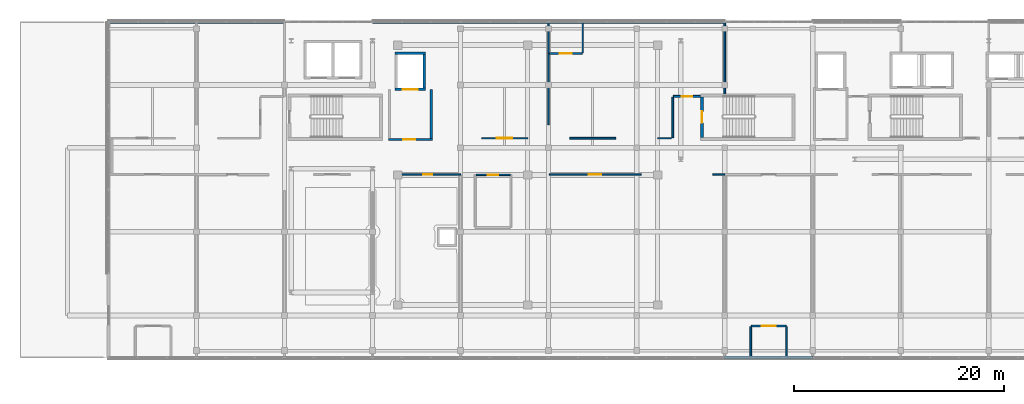
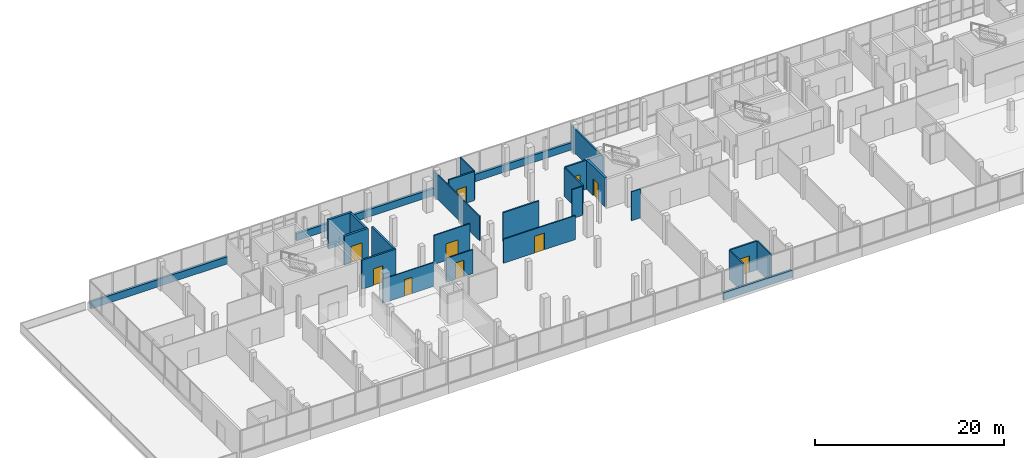
# One storey, part 57 of 67: 29 walls, 10 doors, 10 openings.
"""IFC4 building model written with IfcOpenShell, lengths in metres."""

from ifc_helpers import new_model, si_unit, direction, frame, frame_2d, origin, place, context, subcontext, project, spatial, rectangle, extrude, material, layer, layer_set, type_object, element, fill, save


model = new_model("IFC4")

# Units and contexts
model_context = context("Model", 3, precision=1e-05, world=origin(), true_north=direction((0.0, 1.0)))
body_context = subcontext(model_context, "Body", "Model", "MODEL_VIEW")
ifc_project = project(units=[si_unit("LENGTHUNIT", "METRE"), si_unit("AREAUNIT", "SQUARE_METRE"), si_unit("VOLUMEUNIT", "CUBIC_METRE"), si_unit("PLANEANGLEUNIT", "RADIAN"), si_unit("MASSUNIT", "GRAM", prefix="KILO")], contexts=[model_context])

# Site, building, storey
site_placement = place(None, origin())
site = spatial("IfcSite", under=ifc_project, at=site_placement, CompositionType="ELEMENT")
building_placement = place(site_placement, origin())
building = spatial("IfcBuilding", under=site, at=building_placement, Name="Selatvlak General Hospital", CompositionType="ELEMENT")
storey_placement = place(building_placement, frame((0.0, 0.0, 35.39990234375)))
storey = spatial("IfcBuildingStorey", under=building, at=storey_placement, Name="L08", CompositionType="ELEMENT", Elevation=35.39990234375)

# Walls
ifc_material_1 = material(Name="Precast concrete C40/50 - white Bauhaus spandrel", Category="concrete")
ifc_layer_1 = layer(ifc_material_1, 0.280029296875, Name="Precast concrete C40/50 - white Bauhaus spandrel", Category="concrete")
ifc_layer_set_1 = layer_set([ifc_layer_1], Name="Precast concrete C40/50 - white Bauhaus spandrel")
wall_type_1 = type_object("IfcWallType", Name="WALL-EW-02", PredefinedType="SOLIDWALL", material=ifc_layer_set_1)
wall_1_placement = place(storey_placement, frame((31.340087890625, 119.9990234375, 0.0), z_axis=(0.0, 0.0, 1.0), x_axis=(1.0, 0.0, 0.0)))
element("IfcWall", 1, at=wall_1_placement, inside=storey, type_object=wall_type_1, Name="L08 Bauhaus spandrel sill wall 0607", PredefinedType="SOLIDWALL", context=body_context, shape_type="SweptSolid", body=[
    extrude(rectangle(XDim=8.2578125, YDim=0.280029296875, at=frame_2d((4.12890625, 0.0))), origin(), (0.0, 0.0, 1.0), 0.940185546875),
])
for number, where, z_axis, x_axis, name in (
    (2, (39.60205078125, 119.9990234375, 0.0), (0.0, 0.0, 1.0), (1.0, 0.0, 0.0), "L08 Bauhaus spandrel sill wall 0608"),
    (3, (56.402099609375, 119.9990234375, 0.0), (0.0, 0.0, 1.0), (1.0, 0.0, 0.0), "L08 Bauhaus spandrel sill wall 0609"),
    (4, (64.802001953125, 119.9990234375, 0.0), (0.0, 0.0, 1.0), (1.0, 0.0, 0.0), "L08 Bauhaus spandrel sill wall 0610"),
    (5, (73.201904296875, 119.9990234375, 0.0), (0.0, 0.0, 1.0), (1.0, 0.0, 0.0), "L08 Bauhaus spandrel sill wall 0611"),
    (6, (81.60205078125, 119.9990234375, 0.0), (0.0, 0.0, 1.0), (1.0, 0.0, 0.0), "L08 Bauhaus spandrel sill wall 0612"),
    (7, (98.39794921875, 88.0009765625, 0.0), (0.0, 0.0, 1.0), (-0.999999993236, -0.000116312881, 0.0), "L08 Bauhaus spandrel sill wall 0629"),
):
    element("IfcWall", number, at=place(storey_placement, frame(where, z_axis=z_axis, x_axis=x_axis)), inside=storey, type_object=wall_type_1, Name=name, PredefinedType="SOLIDWALL", context=body_context, shape_type="SweptSolid", body=[
        extrude(rectangle(XDim=8.39599609375, YDim=0.280029296875, at=frame_2d((4.197998046875, 0.0))), origin(), (0.0, 0.0, 1.0), 0.940185546875),
    ])

# Wall, opening, door
ifc_material_2 = material(Name="Concrete C40/50", Category="concrete")
ifc_layer_2 = layer(ifc_material_2, 0.199951171875, Name="Concrete C40/50", Category="concrete")
ifc_layer_set_2 = layer_set([ifc_layer_2], Name="Concrete C40/50")
wall_type_2 = type_object("IfcWallType", Name="WALL-IW-02", PredefinedType="SOLIDWALL", material=ifc_layer_set_2)
wall_2_placement = place(storey_placement, frame((57.89990234375, 108.800048828125, 0.0), z_axis=(0.0, 0.0, 1.0), x_axis=(1.0, 0.0, 0.0)))
wall_2 = element("IfcWall", 8, at=wall_2_placement, inside=storey, type_object=wall_type_2, Name="Firefighting lobby C1 wall L08 S", PredefinedType="SOLIDWALL", context=body_context, shape_type="SweptSolid", body=[
    extrude(rectangle(XDim=4.2001953125, YDim=0.199951171875, at=frame_2d((2.10009765625, 0.0))), origin(), (0.0, 0.0, 1.0), 3.739990234375),
])
opening_1_placement = place(wall_2_placement, frame((1.425048828125, 0.0, 0.0)))
opening_1 = element("IfcOpeningElement", 9, at=opening_1_placement, cuts=wall_2, Name="Opening D-06", PredefinedType="OPENING", context=body_context, shape_type="SweptSolid", body=[
    extrude(rectangle(XDim=1.14990234375, YDim=2.14990234375, at=frame_2d((0.574951171875, 1.074951171875))), frame((0.0, 0.10986328125, 0.0), z_axis=(0.0, -1.0, 0.0), x_axis=(1.0, 0.0, 0.0)), (0.0, 0.0, 1.0), 0.219970703125),
])
ifc_material_3 = material(Name="Firefighting lobby fire door")
door_type_1 = type_object("IfcDoorType", Name="DOOR-D-06", OperationType="NOTDEFINED", PredefinedType="DOOR", material=ifc_material_3)
door_1_placement = place(opening_1_placement, origin())
door_1 = element("IfcDoor", 10, at=door_1_placement, inside=storey, type_object=door_type_1, Name="Firefighting lobby C1 door on L08", OperationType="SINGLE_SWING_LEFT", OverallHeight=2.14990234375, OverallWidth=1.14990234375, PredefinedType="DOOR", context=body_context, shape_type="SweptSolid", body=[
    extrude(rectangle(XDim=1.14990234375, YDim=2.14990234375, at=frame_2d((0.574951171875, 1.074951171875))), frame((0.0, 0.02490234375, 0.0), z_axis=(0.0, -1.0, 0.0), x_axis=(1.0, 0.0, 0.0)), (0.0, 0.0, 1.0), 0.050048828125),
])
fill(opening_1, door_1)

# Wall
wall_3_placement = place(storey_placement, frame((62.0, 108.89990234375, 0.0), z_axis=(0.0, 0.0, 1.0), x_axis=(0.0, 1.0, 0.0)))
element("IfcWall", 11, at=wall_3_placement, inside=storey, type_object=wall_type_2, Name="Firefighting lobby C1 wall L08 E", PredefinedType="SOLIDWALL", context=body_context, shape_type="SweptSolid", body=[
    extrude(rectangle(XDim=4.650146484375, YDim=0.199951171875, at=frame_2d((2.3251953125, 0.0))), origin(), (0.0, 0.0, 1.0), 3.739990234375),
])

# Wall, opening, door
ifc_material_4 = material(Name="Acoustic gypsum stud partition")
ifc_layer_3 = layer(ifc_material_4, 0.179931640625, Name="Acoustic gypsum stud partition")
ifc_layer_set_3 = layer_set([ifc_layer_3], Name="Acoustic gypsum stud partition")
wall_type_3 = type_object("IfcWallType", Name="WALL-PT-01", PredefinedType="PARTITIONING", material=ifc_layer_set_3)
wall_4_placement = place(storey_placement, frame((95.85009765625, 91.0, 0.0), z_axis=(0.0, 0.0, 1.0), x_axis=(-1.0, 0.0, 0.0)))
wall_4 = element("IfcWall", 12, at=wall_4_placement, inside=storey, type_object=wall_type_3, Name="L08 clinical partition PT-L08-2184", PredefinedType="PARTITIONING", context=body_context, shape_type="SweptSolid", body=[
    extrude(rectangle(XDim=3.300048828125, YDim=0.179931640625, at=frame_2d((1.64990234375, 0.0))), origin(), (0.0, 0.0, 1.0), 3.739990234375),
])
opening_2_placement = place(wall_4_placement, frame((0.97509765625, 0.0, 0.0)))
opening_2 = element("IfcOpeningElement", 13, at=opening_2_placement, cuts=wall_4, Name="Opening D-10", PredefinedType="OPENING", context=body_context, shape_type="SweptSolid", body=[
    extrude(rectangle(XDim=1.35009765625, YDim=2.14990234375, at=frame_2d((0.675048828125, 1.074951171875))), frame((0.0, 0.099853515625, 0.0), z_axis=(0.0, -1.0, 0.0), x_axis=(1.0, 0.0, 0.0)), (0.0, 0.0, 1.0), 0.199951171875),
])
ifc_material_5 = material(Name="Single patient bed door")
door_type_2 = type_object("IfcDoorType", Name="DOOR-D-10", OperationType="NOTDEFINED", PredefinedType="DOOR", material=ifc_material_5)
door_2_placement = place(opening_2_placement, origin())
door_2 = element("IfcDoor", 14, at=door_2_placement, inside=storey, type_object=door_type_2, Name="L08 Patient En-Suite WC 07 door", OperationType="SINGLE_SWING_RIGHT", OverallHeight=2.14990234375, OverallWidth=1.35009765625, PredefinedType="DOOR", context=body_context, shape_type="SweptSolid", body=[
    extrude(rectangle(XDim=1.35009765625, YDim=2.14990234375, at=frame_2d((0.675048828125, 1.074951171875))), frame((0.0, 0.02490234375, 0.0), z_axis=(0.0, -1.0, 0.0), x_axis=(1.0, 0.0, 0.0)), (0.0, 0.0, 1.0), 0.050048828125),
])
fill(opening_2, door_2)

wall_5_placement = place(storey_placement, frame((87.68994140625, 112.89990234375, 0.0), z_axis=(0.0, 0.0, 1.0), x_axis=(-1.0, 0.0, 0.0)))
wall_5 = element("IfcWall", 15, at=wall_5_placement, inside=storey, type_object=wall_type_3, Name="L08 clinical partition PT-L08-2214", PredefinedType="PARTITIONING", context=body_context, shape_type="SweptSolid", body=[
    extrude(rectangle(XDim=2.58984375, YDim=0.179931640625, at=frame_2d((1.294921875, 0.0))), origin(), (0.0, 0.0, 1.0), 3.739990234375),
])
opening_3_placement = place(wall_5_placement, frame((0.794921875, 0.0, 0.0)))
opening_3 = element("IfcOpeningElement", 16, at=opening_3_placement, cuts=wall_5, Name="Opening D-21", PredefinedType="OPENING", context=body_context, shape_type="SweptSolid", body=[
    extrude(rectangle(XDim=1.0, YDim=2.14990234375, at=frame_2d((0.5, 1.074951171875))), frame((0.0, 0.099853515625, 0.0), z_axis=(0.0, -1.0, 0.0), x_axis=(1.0, 0.0, 0.0)), (0.0, 0.0, 1.0), 0.199951171875),
])
ifc_material_6 = material(Name="Laboratory fire door")
door_type_3 = type_object("IfcDoorType", Name="DOOR-D-21", OperationType="NOTDEFINED", PredefinedType="DOOR", material=ifc_material_6)
door_3_placement = place(opening_3_placement, origin())
door_3 = element("IfcDoor", 17, at=door_3_placement, inside=storey, type_object=door_type_3, Name="L08 Airborne Isolation Patient Room 19 door", OperationType="SINGLE_SWING_LEFT", OverallHeight=2.14990234375, OverallWidth=1.0, PredefinedType="DOOR", context=body_context, shape_type="SweptSolid", body=[
    extrude(rectangle(XDim=1.0, YDim=2.14990234375, at=frame_2d((0.5, 1.074951171875))), frame((0.0, 0.02490234375, 0.0), z_axis=(0.0, -1.0, 0.0), x_axis=(1.0, 0.0, 0.0)), (0.0, 0.0, 1.0), 0.050048828125),
])
fill(opening_3, door_3)

# Walls
wall_6_placement = place(storey_placement, frame((79.589111328125, 108.909912109375, 0.0), z_axis=(0.0, 0.0, 1.0), x_axis=(-1.0, 0.0, 0.0)))
element("IfcWall", 18, at=wall_6_placement, inside=storey, type_object=wall_type_3, Name="L08 clinical partition PT-L08-2217", PredefinedType="PARTITIONING", context=body_context, shape_type="SweptSolid", body=[
    extrude(rectangle(XDim=4.378173828125, YDim=0.179931640625, at=frame_2d((2.18896484375, 0.0))), origin(), (0.0, 0.0, 1.0), 3.739990234375),
])
wall_7_placement = place(storey_placement, frame((90.0, 119.989990234375, 0.0), z_axis=(0.0, 0.0, 1.0), x_axis=(0.0, -1.0, 0.0)))
element("IfcWall", 19, at=wall_7_placement, inside=storey, type_object=wall_type_3, Name="L08 clinical partition PT-L08-2220", PredefinedType="PARTITIONING", context=body_context, shape_type="SweptSolid", body=[
    extrude(rectangle(XDim=6.843017578125, YDim=0.179931640625, at=frame_2d((3.42138671875, 0.0))), origin(), (0.0, 0.0, 1.0), 3.14013671875),
])
ifc_layer_4 = layer(ifc_material_4, 0.1650390625, Name="Acoustic gypsum stud partition")
ifc_layer_set_4 = layer_set([ifc_layer_4], Name="Acoustic gypsum stud partition")
wall_type_4 = type_object("IfcWallType", Name="WALL-PT-02", PredefinedType="PARTITIONING", material=ifc_layer_set_4)
wall_8_placement = place(storey_placement, frame((92.489990234375, 90.93994140625, 0.0), z_axis=(0.0, 0.0, 1.0), x_axis=(0.0, -1.0, 0.0)))
element("IfcWall", 20, at=wall_8_placement, inside=storey, type_object=wall_type_4, Name="L08 clinical partition PT-L08-2185", PredefinedType="PARTITIONING", context=body_context, shape_type="SweptSolid", body=[
    extrude(rectangle(XDim=2.89794921875, YDim=0.1650390625, at=frame_2d((1.448974609375, 0.0))), origin(), (0.0, 0.0, 1.0), 3.739990234375),
])
wall_9_placement = place(storey_placement, frame((85.0400390625, 112.840087890625, 0.0), z_axis=(0.0, 0.0, 1.0), x_axis=(0.0, -1.0, 0.0)))
element("IfcWall", 21, at=wall_9_placement, inside=storey, type_object=wall_type_4, Name="L08 clinical partition PT-L08-2215", PredefinedType="PARTITIONING", context=body_context, shape_type="SweptSolid", body=[
    extrude(rectangle(XDim=3.8671875, YDim=0.1650390625, at=frame_2d((1.93359375, 0.0))), origin(), (0.0, 0.0, 1.0), 3.739990234375),
])

# Wall, opening, door
wall_10_placement = place(storey_placement, frame((73.27099609375, 117.0, 0.0), z_axis=(0.0, 0.0, 1.0), x_axis=(1.0, 0.0, 0.0)))
wall_10 = element("IfcWall", 22, at=wall_10_placement, inside=storey, type_object=wall_type_4, Name="L08 clinical partition PT-L08-2218", PredefinedType="PARTITIONING", context=body_context, shape_type="SweptSolid", body=[
    extrude(rectangle(XDim=3.12890625, YDim=0.1650390625, at=frame_2d((1.564453125, 0.0))), origin(), (0.0, 0.0, 1.0), 3.739990234375),
])
opening_4_placement = place(wall_10_placement, frame((1.014892578125, 0.0, 0.0)))
opening_4 = element("IfcOpeningElement", 23, at=opening_4_placement, cuts=wall_10, Name="Opening D-22", PredefinedType="OPENING", context=body_context, shape_type="SweptSolid", body=[
    extrude(rectangle(XDim=1.10009765625, YDim=2.14990234375, at=frame_2d((0.550048828125, 1.074951171875))), frame((0.0, 0.092529296875, 0.0), z_axis=(0.0, -1.0, 0.0), x_axis=(1.0, 0.0, 0.0)), (0.0, 0.0, 1.0), 0.18505859375),
])
ifc_material_7 = material(Name="Pharmacy security fire door")
door_type_4 = type_object("IfcDoorType", Name="DOOR-D-22", OperationType="NOTDEFINED", PredefinedType="DOOR", material=ifc_material_7)
door_4_placement = place(opening_4_placement, origin())
door_4 = element("IfcDoor", 24, at=door_4_placement, inside=storey, type_object=door_type_4, Name="L08 Patient En-Suite WC 19 door", OperationType="SINGLE_SWING_RIGHT", OverallHeight=2.14990234375, OverallWidth=1.10009765625, PredefinedType="DOOR", context=body_context, shape_type="SweptSolid", body=[
    extrude(rectangle(XDim=1.10009765625, YDim=2.14990234375, at=frame_2d((0.550048828125, 1.074951171875))), frame((0.0, 0.02490234375, 0.0), z_axis=(0.0, -1.0, 0.0), x_axis=(1.0, 0.0, 0.0)), (0.0, 0.0, 1.0), 0.050048828125),
])
fill(opening_4, door_4)

# Wall
ifc_layer_5 = layer(ifc_material_4, 0.14990234375, Name="Acoustic gypsum stud partition")
ifc_layer_set_5 = layer_set([ifc_layer_5], Name="Acoustic gypsum stud partition")
wall_type_5 = type_object("IfcWallType", Name="WALL-PT-03", PredefinedType="PARTITIONING", material=ifc_layer_set_5)
wall_11_placement = place(storey_placement, frame((73.199951171875, 119.989990234375, 0.0), z_axis=(0.0, 0.0, 1.0), x_axis=(0.0, -1.0, 0.0)))
element("IfcWall", 25, at=wall_11_placement, inside=storey, type_object=wall_type_5, Name="L08 clinical partition PT-L08-2212", PredefinedType="PARTITIONING", context=body_context, shape_type="SweptSolid", body=[
    extrude(rectangle(XDim=9.780029296875, YDim=0.14990234375, at=frame_2d((4.89013671875, 0.0))), origin(), (0.0, 0.0, 1.0), 3.14013671875),
])

# Wall, opening, door
ifc_material_8 = material(Name="Moisture-resistant clinical partition")
ifc_layer_6 = layer(ifc_material_8, 0.135009765625, Name="Moisture-resistant clinical partition")
ifc_layer_set_6 = layer_set([ifc_layer_6], Name="Moisture-resistant clinical partition")
wall_type_6 = type_object("IfcWallType", Name="WALL-PT-04", PredefinedType="PARTITIONING", material=ifc_layer_set_6)
wall_12_placement = place(storey_placement, frame((66.279052734375, 105.419921875, 0.0), z_axis=(0.0, 0.0, 1.0), x_axis=(1.0, 0.0, 0.0)))
wall_12 = element("IfcWall", 26, at=wall_12_placement, inside=storey, type_object=wall_type_6, Name="L08 clinical partition PT-L08-2153", PredefinedType="PARTITIONING", context=body_context, shape_type="SweptSolid", body=[
    extrude(rectangle(XDim=3.2568359375, YDim=0.135009765625, at=frame_2d((1.62841796875, 0.0))), origin(), (0.0, 0.0, 1.0), 3.090087890625),
])
opening_5_placement = place(wall_12_placement, frame((1.12890625, 0.0, 0.0)))
opening_5 = element("IfcOpeningElement", 27, at=opening_5_placement, cuts=wall_12, Name="Opening D-03", PredefinedType="OPENING", context=body_context, shape_type="SweptSolid", body=[
    extrude(rectangle(XDim=1.0, YDim=2.10009765625, at=frame_2d((0.5, 1.050048828125))), frame((0.0, 0.077392578125, 0.0), z_axis=(0.0, -1.0, 0.0), x_axis=(1.0, 0.0, 0.0)), (0.0, 0.0, 1.0), 0.155029296875),
])
ifc_material_9 = material(Name="Accessible WC door")
door_type_5 = type_object("IfcDoorType", Name="DOOR-D-03", OperationType="NOTDEFINED", PredefinedType="DOOR", material=ifc_material_9)
door_5_placement = place(opening_5_placement, origin())
door_5 = element("IfcDoor", 28, at=door_5_placement, inside=storey, type_object=door_type_5, Name="L08 Accessible WC door", OperationType="SINGLE_SWING_RIGHT", OverallHeight=2.10009765625, OverallWidth=1.0, PredefinedType="DOOR", context=body_context, shape_type="SweptSolid", body=[
    extrude(rectangle(XDim=1.0, YDim=2.10009765625, at=frame_2d((0.5, 1.050048828125))), frame((0.0, 0.02490234375, 0.0), z_axis=(0.0, -1.0, 0.0), x_axis=(1.0, 0.0, 0.0)), (0.0, 0.0, 1.0), 0.050048828125),
])
fill(opening_5, door_5)

wall_13_placement = place(storey_placement, frame((73.27099609375, 105.43994140625, 0.0), z_axis=(0.0, 0.0, 1.0), x_axis=(1.0, 0.0, 0.0)))
wall_13 = element("IfcWall", 29, at=wall_13_placement, inside=storey, type_object=wall_type_6, Name="L08 clinical partition PT-L08-2178", PredefinedType="PARTITIONING", context=body_context, shape_type="SweptSolid", body=[
    extrude(rectangle(XDim=8.7490234375, YDim=0.135009765625, at=frame_2d((4.37451171875, 0.0))), origin(), (0.0, 0.0, 1.0), 3.090087890625),
])
opening_6_placement = place(wall_13_placement, frame((3.77392578125, 0.0, 0.0)))
opening_6 = element("IfcOpeningElement", 30, at=opening_6_placement, cuts=wall_13, Name="Opening D-07", PredefinedType="OPENING", context=body_context, shape_type="SweptSolid", body=[
    extrude(rectangle(XDim=1.199951171875, YDim=2.14990234375, at=frame_2d((0.60009765625, 1.074951171875))), frame((0.0, 0.077392578125, 0.0), z_axis=(0.0, -1.0, 0.0), x_axis=(1.0, 0.0, 0.0)), (0.0, 0.0, 1.0), 0.155029296875),
])
ifc_material_10 = material(Name="Plant and store fire door")
door_type_6 = type_object("IfcDoorType", Name="DOOR-D-07", OperationType="NOTDEFINED", PredefinedType="DOOR", material=ifc_material_10)
door_6_placement = place(opening_6_placement, origin())
door_6 = element("IfcDoor", 31, at=door_6_placement, inside=storey, type_object=door_type_6, Name="L08 Respiratory Decontamination Room 06 door", OperationType="SINGLE_SWING_RIGHT", OverallHeight=2.14990234375, OverallWidth=1.199951171875, PredefinedType="DOOR", context=body_context, shape_type="SweptSolid", body=[
    extrude(rectangle(XDim=1.199951171875, YDim=2.14990234375, at=frame_2d((0.60009765625, 1.074951171875))), frame((0.0, 0.02490234375, 0.0), z_axis=(0.0, -1.0, 0.0), x_axis=(1.0, 0.0, 0.0)), (0.0, 0.0, 1.0), 0.050048828125),
])
fill(opening_6, door_6)

# Wall
wall_14_placement = place(storey_placement, frame((95.909912109375, 88.04296875, 0.0), z_axis=(0.0, 0.0, 1.0), x_axis=(0.0, 1.0, 0.0)))
element("IfcWall", 32, at=wall_14_placement, inside=storey, type_object=wall_type_6, Name="L08 clinical partition PT-L08-2183", PredefinedType="PARTITIONING", context=body_context, shape_type="SweptSolid", body=[
    extrude(rectangle(XDim=2.89697265625, YDim=0.135009765625, at=frame_2d((1.448486328125, 0.0))), origin(), (0.0, 0.0, 1.0), 3.739990234375),
])

# Wall, opening, door
wall_15_placement = place(storey_placement, frame((71.18896484375, 108.909912109375, 0.0), z_axis=(0.0, 0.0, 1.0), x_axis=(-1.0, 0.0, 0.0)))
wall_15 = element("IfcWall", 33, at=wall_15_placement, inside=storey, type_object=wall_type_6, Name="L08 clinical partition PT-L08-2213", PredefinedType="PARTITIONING", context=body_context, shape_type="SweptSolid", body=[
    extrude(rectangle(XDim=4.3779296875, YDim=0.135009765625, at=frame_2d((2.18896484375, 0.0))), origin(), (0.0, 0.0, 1.0), 3.739990234375),
])
opening_7_placement = place(wall_15_placement, frame((1.464111328125, 0.0, 0.0)))
opening_7 = element("IfcOpeningElement", 34, at=opening_7_placement, cuts=wall_15, Name="Opening D-12", PredefinedType="OPENING", context=body_context, shape_type="SweptSolid", body=[
    extrude(rectangle(XDim=1.449951171875, YDim=2.14990234375, at=frame_2d((0.72509765625, 1.074951171875))), frame((0.0, 0.077392578125, 0.0), z_axis=(0.0, -1.0, 0.0), x_axis=(1.0, 0.0, 0.0)), (0.0, 0.0, 1.0), 0.155029296875),
])
ifc_material_11 = material(Name="Isolation anteroom door")
door_type_7 = type_object("IfcDoorType", Name="DOOR-D-12", OperationType="NOTDEFINED", PredefinedType="DOOR", material=ifc_material_11)
door_7_placement = place(opening_7_placement, origin())
door_7 = element("IfcDoor", 35, at=door_7_placement, inside=storey, type_object=door_type_7, Name="L08 Respiratory Decontamination Room 18 door", OperationType="SINGLE_SWING_RIGHT", OverallHeight=2.14990234375, OverallWidth=1.449951171875, PredefinedType="DOOR", context=body_context, shape_type="SweptSolid", body=[
    extrude(rectangle(XDim=1.449951171875, YDim=2.14990234375, at=frame_2d((0.72509765625, 1.074951171875))), frame((0.0, 0.02490234375, 0.0), z_axis=(0.0, -1.0, 0.0), x_axis=(1.0, 0.0, 0.0)), (0.0, 0.0, 1.0), 0.050048828125),
])
fill(opening_7, door_7)

# Walls
wall_16_placement = place(storey_placement, frame((84.886962890625, 108.909912109375, 0.0), z_axis=(0.0, 0.0, 1.0), x_axis=(-1.0, 0.0, 0.0)))
element("IfcWall", 36, at=wall_16_placement, inside=storey, type_object=wall_type_6, Name="L08 clinical partition PT-L08-2216", PredefinedType="PARTITIONING", context=body_context, shape_type="SweptSolid", body=[
    extrude(rectangle(XDim=1.27587890625, YDim=0.135009765625, at=frame_2d((0.637939453125, 0.0))), origin(), (0.0, 0.0, 1.0), 3.739990234375),
])
wall_17_placement = place(storey_placement, frame((76.4599609375, 117.06005859375, 0.0), z_axis=(0.0, 0.0, 1.0), x_axis=(0.0, 1.0, 0.0)))
element("IfcWall", 37, at=wall_17_placement, inside=storey, type_object=wall_type_6, Name="L08 clinical partition PT-L08-2219", PredefinedType="PARTITIONING", context=body_context, shape_type="SweptSolid", body=[
    extrude(rectangle(XDim=2.89697265625, YDim=0.135009765625, at=frame_2d((1.448486328125, 0.0))), origin(), (0.0, 0.0, 1.0), 3.739990234375),
])

# Wall, opening, door
ifc_layer_7 = layer(ifc_material_8, 0.1201171875, Name="Moisture-resistant clinical partition")
ifc_layer_set_7 = layer_set([ifc_layer_7], Name="Moisture-resistant clinical partition")
wall_type_7 = type_object("IfcWallType", Name="WALL-PT-05", PredefinedType="PARTITIONING", material=ifc_layer_set_7)
wall_18_placement = place(storey_placement, frame((58.534912109375, 105.43994140625, 0.0), z_axis=(0.0, 0.0, 1.0), x_axis=(1.0, 0.0, 0.0)))
wall_18 = element("IfcWall", 38, at=wall_18_placement, inside=storey, type_object=wall_type_7, Name="L08 clinical partition PT-L08-2174", PredefinedType="PARTITIONING", context=body_context, shape_type="SweptSolid", body=[
    extrude(rectangle(XDim=6.26513671875, YDim=0.1201171875, at=frame_2d((3.132568359375, 0.0))), origin(), (0.0, 0.0, 1.0), 3.090087890625),
])
opening_8_placement = place(wall_18_placement, frame((2.68310546875, 0.0, 0.0)))
opening_8 = element("IfcOpeningElement", 39, at=opening_8_placement, cuts=wall_18, Name="Opening D-01", PredefinedType="OPENING", context=body_context, shape_type="SweptSolid", body=[
    extrude(rectangle(XDim=0.89990234375, YDim=2.10009765625, at=frame_2d((0.449951171875, 1.050048828125))), frame((0.0, 0.070068359375, 0.0), z_axis=(0.0, -1.0, 0.0), x_axis=(1.0, 0.0, 0.0)), (0.0, 0.0, 1.0), 0.14013671875),
])
ifc_material_12 = material(Name="Hardwood clinical room door", Category="wood")
door_type_8 = type_object("IfcDoorType", Name="DOOR-D-01", OperationType="NOTDEFINED", PredefinedType="DOOR", material=ifc_material_12)
door_8_placement = place(opening_8_placement, origin())
door_8 = element("IfcDoor", 40, at=door_8_placement, inside=storey, type_object=door_type_8, Name="L08 On-Call Physician Duty Suite 04 door", OperationType="SINGLE_SWING_LEFT", OverallHeight=2.10009765625, OverallWidth=0.89990234375, PredefinedType="DOOR", context=body_context, shape_type="SweptSolid", body=[
    extrude(rectangle(XDim=0.89990234375, YDim=2.10009765625, at=frame_2d((0.449951171875, 1.050048828125))), frame((0.0, 0.02490234375, 0.0), z_axis=(0.0, -1.0, 0.0), x_axis=(1.0, 0.0, 0.0)), (0.0, 0.0, 1.0), 0.050048828125),
])
fill(opening_8, door_8)

# Wall
wall_19_placement = place(storey_placement, frame((88.8798828125, 105.43994140625, 0.0), z_axis=(0.0, 0.0, 1.0), x_axis=(1.0, 0.0, 0.0)))
element("IfcWall", 41, at=wall_19_placement, inside=storey, type_object=wall_type_7, Name="L08 clinical partition PT-L08-2179", PredefinedType="PARTITIONING", context=body_context, shape_type="SweptSolid", body=[
    extrude(rectangle(XDim=1.1201171875, YDim=0.1201171875, at=frame_2d((0.56005859375, 0.0))), origin(), (0.0, 0.0, 1.0), 3.739990234375),
])

# Wall, opening, door
ifc_material_13 = material(Name="Concrete C45/55", Category="concrete")
ifc_layer_8 = layer(ifc_material_13, 0.300048828125, Name="Concrete C45/55", Category="concrete")
ifc_layer_set_8 = layer_set([ifc_layer_8], Name="Concrete C45/55")
wall_type_8 = type_object("IfcWallType", Name="WALL-SW-02", PredefinedType="SHEAR", material=ifc_layer_set_8)
wall_20_placement = place(storey_placement, frame((87.840087890625, 112.85009765625, 0.0), z_axis=(0.0, 0.0, 1.0), x_axis=(0.0, -1.0, 0.0)))
wall_20 = element("IfcWall", 42, at=wall_20_placement, inside=storey, type_object=wall_type_8, Name="ST-02 core shear wall L08 W", PredefinedType="SHEAR", context=body_context, shape_type="SweptSolid", body=[
    extrude(rectangle(XDim=3.860107421875, YDim=0.300048828125, at=frame_2d((1.93017578125, 0.0))), origin(), (0.0, 0.0, 1.0), 3.739990234375),
])
opening_9_placement = place(wall_20_placement, frame((1.3798828125, 0.0, 0.0)))
opening_9 = element("IfcOpeningElement", 43, at=opening_9_placement, cuts=wall_20, Name="Opening D-05", PredefinedType="OPENING", context=body_context, shape_type="SweptSolid", body=[
    extrude(rectangle(XDim=1.10009765625, YDim=2.14990234375, at=frame_2d((0.550048828125, 1.074951171875))), frame((0.0, 0.159912109375, 0.0), z_axis=(0.0, -1.0, 0.0), x_axis=(1.0, 0.0, 0.0)), (0.0, 0.0, 1.0), 0.320068359375),
])
ifc_material_14 = material(Name="Protected stair fire door")
door_type_9 = type_object("IfcDoorType", Name="DOOR-D-05", OperationType="NOTDEFINED", PredefinedType="DOOR", material=ifc_material_14)
door_9_placement = place(opening_9_placement, origin())
door_9 = element("IfcDoor", 44, at=door_9_placement, inside=storey, type_object=door_type_9, Name="ST-02 protected stair door on L08", OperationType="SINGLE_SWING_LEFT", OverallHeight=2.14990234375, OverallWidth=1.10009765625, PredefinedType="DOOR", context=body_context, shape_type="SweptSolid", body=[
    extrude(rectangle(XDim=1.10009765625, YDim=2.14990234375, at=frame_2d((0.550048828125, 1.074951171875))), frame((0.0, 0.02490234375, 0.0), z_axis=(0.0, -1.0, 0.0), x_axis=(1.0, 0.0, 0.0)), (0.0, 0.0, 1.0), 0.050048828125),
])
fill(opening_9, door_9)

ifc_layer_9 = layer(ifc_material_2, 0.25, Name="Concrete C40/50", Category="concrete")
ifc_layer_set_9 = layer_set([ifc_layer_9], Name="Concrete C40/50")
wall_type_9 = type_object("IfcWallType", Name="WALL-SW-03", PredefinedType="SHEAR", material=ifc_layer_set_9)
wall_21_placement = place(storey_placement, frame((58.550048828125, 113.574951171875, 0.0), z_axis=(0.0, 0.0, 1.0), x_axis=(1.0, 0.0, 0.0)))
wall_21 = element("IfcWall", 45, at=wall_21_placement, inside=storey, type_object=wall_type_9, Name="Lift LF-01 shaft wall L08 S", PredefinedType="SHEAR", context=body_context, shape_type="SweptSolid", body=[
    extrude(rectangle(XDim=2.89990234375, YDim=0.25, at=frame_2d((1.449951171875, 0.0))), origin(), (0.0, 0.0, 1.0), 3.739990234375),
])
opening_10_placement = place(wall_21_placement, frame((0.75, 0.0, 0.0)))
opening_10 = element("IfcOpeningElement", 46, at=opening_10_placement, cuts=wall_21, Name="Opening LD-F1", PredefinedType="OPENING", context=body_context, shape_type="SweptSolid", body=[
    extrude(rectangle(XDim=1.39990234375, YDim=2.14990234375, at=frame_2d((0.699951171875, 1.074951171875))), frame((0.0, 0.135009765625, 0.0), z_axis=(0.0, -1.0, 0.0), x_axis=(1.0, 0.0, 0.0)), (0.0, 0.0, 1.0), 0.27001953125),
])
ifc_material_15 = material(Name="Stainless steel fire lift landing door", Category="steel")
door_type_10 = type_object("IfcDoorType", Name="DOOR-LD-F1", OperationType="DOUBLE_DOOR_SLIDING", PredefinedType="DOOR", material=ifc_material_15)
door_10_placement = place(opening_10_placement, origin())
door_10 = element("IfcDoor", 47, at=door_10_placement, inside=storey, type_object=door_type_10, Name="Lift LF-01 sliding landing door on L08", OperationType="DOUBLE_DOOR_SLIDING", OverallHeight=2.14990234375, OverallWidth=1.39990234375, PredefinedType="DOOR", context=body_context, shape_type="SweptSolid", body=[
    extrude(rectangle(XDim=1.39990234375, YDim=2.14990234375, at=frame_2d((0.699951171875, 1.074951171875))), frame((0.0, 0.02490234375, 0.0), z_axis=(0.0, -1.0, 0.0), x_axis=(1.0, 0.0, 0.0)), (0.0, 0.0, 1.0), 0.050048828125),
])
fill(opening_10, door_10)

# Walls
wall_22_placement = place(storey_placement, frame((61.324951171875, 113.699951171875, 0.0), z_axis=(0.0, 0.0, 1.0), x_axis=(0.0, 1.0, 0.0)))
element("IfcWall", 48, at=wall_22_placement, inside=storey, type_object=wall_type_9, Name="Lift LF-01 shaft wall L08 E", PredefinedType="SHEAR", context=body_context, shape_type="SweptSolid", body=[
    extrude(rectangle(XDim=3.199951171875, YDim=0.25, at=frame_2d((1.60009765625, 0.0))), origin(), (0.0, 0.0, 1.0), 3.739990234375),
])
wall_23_placement = place(storey_placement, frame((61.449951171875, 117.02490234375, 0.0), z_axis=(0.0, 0.0, 1.0), x_axis=(-1.0, 0.0, 0.0)))
element("IfcWall", 49, at=wall_23_placement, inside=storey, type_object=wall_type_9, Name="Lift LF-01 shaft wall L08 N", PredefinedType="SHEAR", context=body_context, shape_type="SweptSolid", body=[
    extrude(rectangle(XDim=2.89990234375, YDim=0.25, at=frame_2d((1.449951171875, 0.0))), origin(), (0.0, 0.0, 1.0), 3.739990234375),
])

save(model, "model.ifc")
